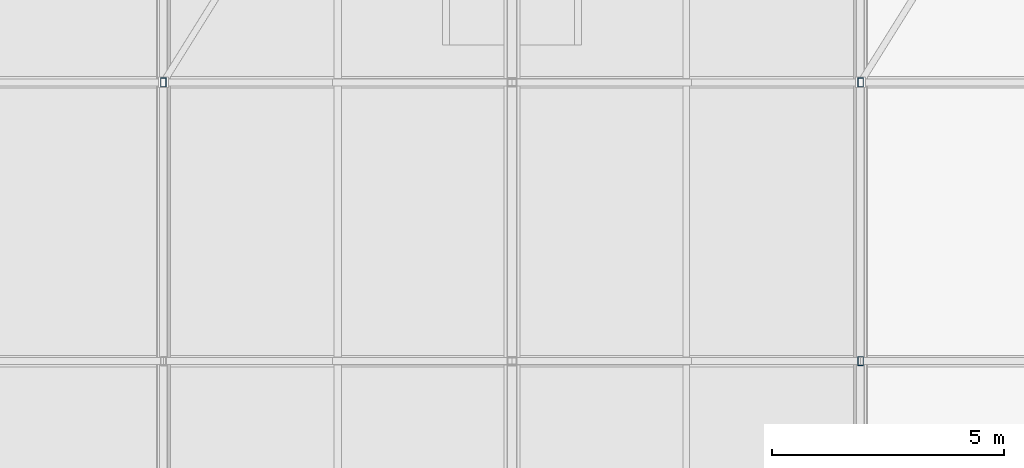
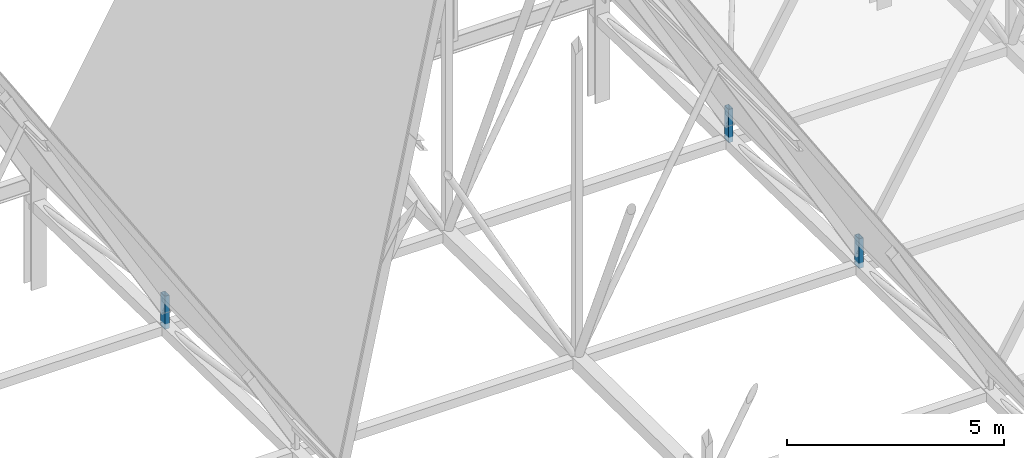
# One storey, part 259 of 324: 3 members.
"""IFC4 building model written with IfcOpenShell, lengths in metres."""

from ifc_helpers import new_model, si_unit, direction, frame, origin, origin_2d, place, context, subcontext, project, spatial, hollow_rectangle, extrude, material, material_profile, profile_set, type_object, element, save


model = new_model("IFC4")

# Units and contexts
model_context = context("Model", 3, precision=1e-05, world=origin(), true_north=direction((0.0, 1.0)))
body_context = subcontext(model_context, "Body", "Model", "MODEL_VIEW")
ifc_project = project(units=[si_unit("LENGTHUNIT", "METRE"), si_unit("AREAUNIT", "SQUARE_METRE"), si_unit("VOLUMEUNIT", "CUBIC_METRE"), si_unit("PLANEANGLEUNIT", "RADIAN"), si_unit("MASSUNIT", "GRAM", prefix="KILO")], contexts=[model_context])

# Site, building, storey
site_placement = place(None, origin())
site = spatial("IfcSite", under=ifc_project, at=site_placement, CompositionType="ELEMENT")
building_placement = place(site_placement, origin())
building = spatial("IfcBuilding", under=site, at=building_placement, Name="Solvenia Promenade Tram Depot", CompositionType="ELEMENT")
storey_placement = place(building_placement, frame((0.0, 0.0, 4.5)))
storey = spatial("IfcBuildingStorey", under=building, at=storey_placement, Name="L01", CompositionType="ELEMENT", Elevation=4.5)

# Members
ifc_material = material(Name="Structural steel ASTM A500 Gr. C", Category="steel")
ifc_material_profile = material_profile(ifc_material, hollow_rectangle(XDim=0.1201171875, YDim=0.199951171875, WallThickness=0.008056640625, at=origin_2d()), Name="HSS200x120x8", Category="steel")
ifc_profile_set = profile_set([ifc_material_profile], Name="Structural steel ASTM A500 Gr. C")
member_type = type_object("IfcMemberType", Name="Post-HSS200x120x8", PredefinedType="POST", material=ifc_profile_set)
member_1_placement = place(storey_placement, frame((75.0, 120.0, 2.446044921875), z_axis=(0.0, 0.0, 1.0), x_axis=(1.0, 0.0, 0.0)))
element("IfcMember", 1, at=member_1_placement, inside=storey, type_object=member_type, Name="Arched Truss T11 Web Post S09", PredefinedType="POST", context=body_context, shape_type="SweptSolid", body=[
    extrude(hollow_rectangle(XDim=0.1201171875, YDim=0.199951171875, WallThickness=0.008056640625, at=origin_2d()), origin(), (0.0, 0.0, 1.0), 0.933837890625),
])
member_2_placement = place(storey_placement, frame((90.0, 114.0, 2.5439453125), z_axis=(0.0, 0.0, 1.0), x_axis=(1.0, 0.0, 0.0)))
element("IfcMember", 2, at=member_2_placement, inside=storey, type_object=member_type, Name="Arched Truss T13 Web Post S08", PredefinedType="POST", context=body_context, shape_type="SweptSolid", body=[
    extrude(hollow_rectangle(XDim=0.1201171875, YDim=0.199951171875, WallThickness=0.008056640625, at=origin_2d()), origin(), (0.0, 0.0, 1.0), 0.8359375),
])
member_3_placement = place(storey_placement, frame((90.0, 120.0, 2.446044921875), z_axis=(0.0, 0.0, 1.0), x_axis=(1.0, 0.0, 0.0)))
element("IfcMember", 3, at=member_3_placement, inside=storey, type_object=member_type, Name="Arched Truss T13 Web Post S09", PredefinedType="POST", context=body_context, shape_type="SweptSolid", body=[
    extrude(hollow_rectangle(XDim=0.1201171875, YDim=0.199951171875, WallThickness=0.008056640625, at=origin_2d()), origin(), (0.0, 0.0, 1.0), 0.933837890625),
])

save(model, "model.ifc")
